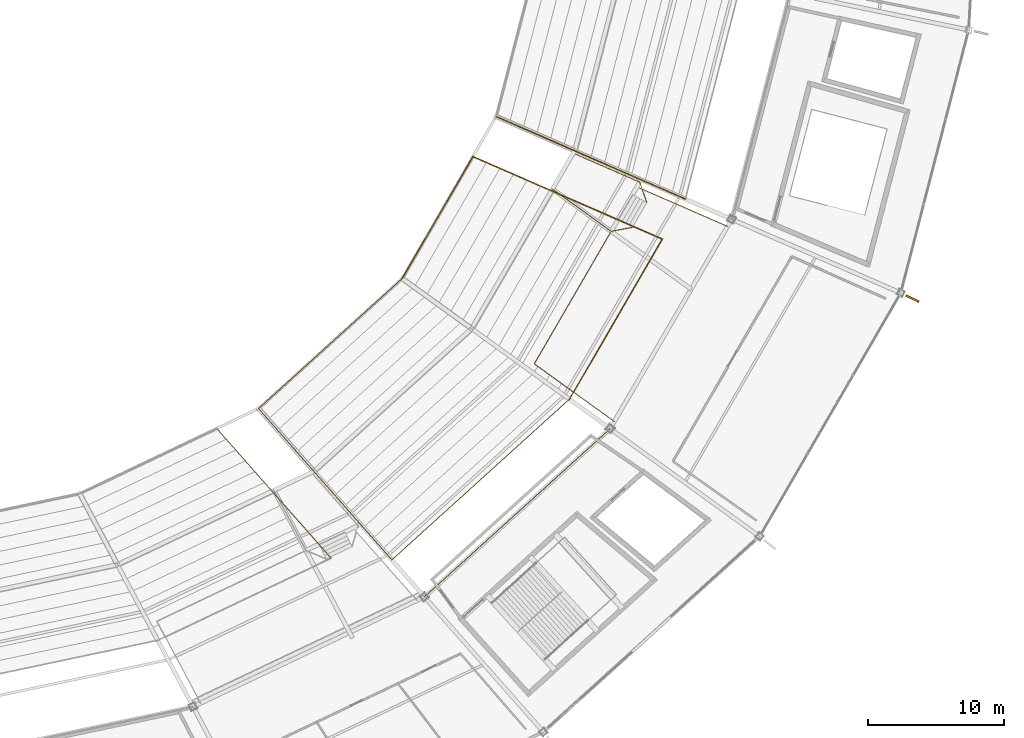
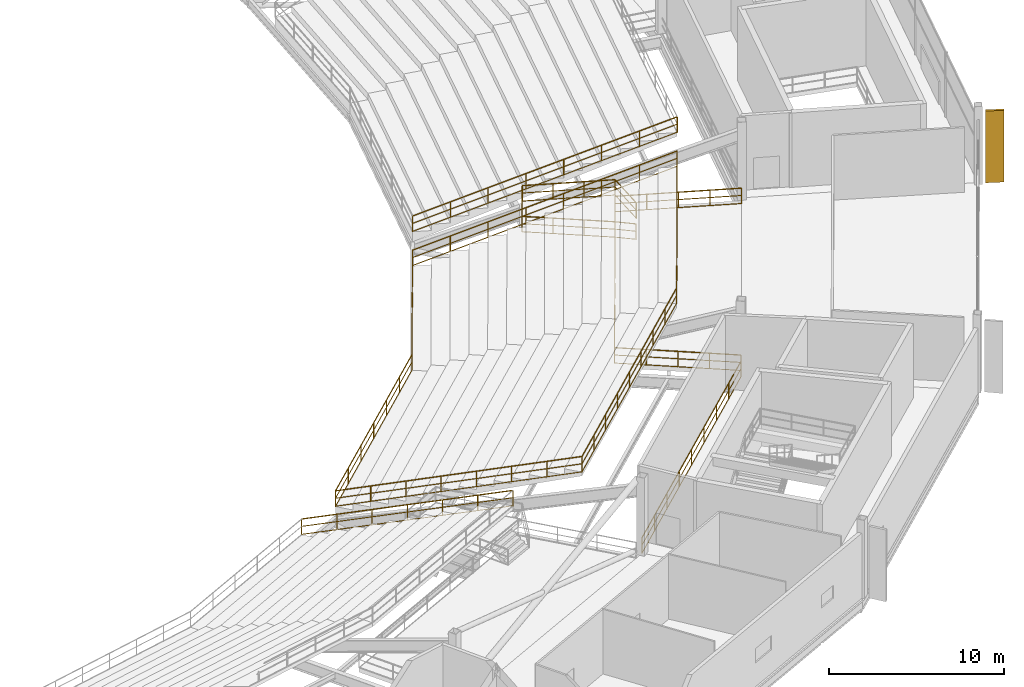
# One storey, part 177 of 186: 11 railings, 1 shading device.
"""IFC4 building model written with IfcOpenShell, lengths in metres."""

from ifc_helpers import new_model, si_unit, direction, frame, origin, origin_2d, place, context, subcontext, project, spatial, rectangle, extrude, material, type_object, element, save


model = new_model("IFC4")

# Units and contexts
model_context = context("Model", 3, precision=1e-05, world=origin(), true_north=direction((0.0, 1.0)))
body_context = subcontext(model_context, "Body", "Model", "MODEL_VIEW")
ifc_project = project(units=[si_unit("LENGTHUNIT", "METRE"), si_unit("AREAUNIT", "SQUARE_METRE"), si_unit("VOLUMEUNIT", "CUBIC_METRE"), si_unit("PLANEANGLEUNIT", "RADIAN"), si_unit("MASSUNIT", "GRAM", prefix="KILO")], contexts=[model_context])

# Site, building, storey
site_placement = place(None, origin())
site = spatial("IfcSite", under=ifc_project, at=site_placement, CompositionType="ELEMENT")
building_placement = place(site_placement, origin())
building = spatial("IfcBuilding", under=site, at=building_placement, Name="Kazemori Nagisa Stadium", CompositionType="ELEMENT")
storey_placement = place(building_placement, frame((0.0, 0.0, 20.39990234375)))
storey = spatial("IfcBuildingStorey", under=building, at=storey_placement, Name="L04", CompositionType="ELEMENT", Elevation=20.39990234375)

# Shading device
ifc_material_1 = material(Name="Aluminium 6063-T5 anodised", Category="aluminium")
shading_device_type = type_object("IfcShadingDeviceType", Name="Fin_FN03", PredefinedType="USERDEFINED", material=ifc_material_1)
shading_device_placement = place(storey_placement, frame((212.745361328125, 62.836181640625, 0.0), z_axis=(0.0, 0.0, 1.0), x_axis=(0.900968867905, -0.433883739113, 0.0)))
element("IfcShadingDevice", 1, at=shading_device_placement, inside=storey, type_object=shading_device_type, Name="Aerodynamic wave shading fin L04-27", ObjectType="FIN", PredefinedType="USERDEFINED", context=body_context, shape_type="SweptSolid", body=[
    extrude(rectangle(XDim=1.050048828125, YDim=0.139892578125, at=origin_2d()), origin(), (0.0, 0.0, 1.0), 5.0),
])

# Railings
ifc_material_2 = material(Name="Laminated safety glass and stainless steel SUS304", Category="steel")
railing_type_1 = type_object("IfcRailingType", Name="Rail_BAL", PredefinedType="BALUSTRADE", material=ifc_material_2)
railing_1_placement = place(storey_placement, frame((176.834228515625, 40.88916015625, 0.0)))
element("IfcRailing", 2, at=railing_1_placement, inside=storey, type_object=railing_type_1, Name="Upper concourse balustrade L04-B25", PredefinedType="BALUSTRADE", context=body_context, shape_type="SweptSolid", body=[
    extrude(rectangle(XDim=0.050048828125, YDim=0.050048828125, at=origin_2d()), frame((0.0, 0.0, 1.09521484375), z_axis=(0.741349142139, 0.671119549298, 0.0), x_axis=(-0.671119549298, 0.741349142139, 0.0)), (0.0, 0.0, 1.0), 18.44189453125),
    extrude(rectangle(XDim=0.03759765625, YDim=0.03759765625, at=origin_2d()), frame((0.0, 0.0, 0.58251953125), z_axis=(0.741349142139, 0.671119549298, 0.0), x_axis=(-0.671119549298, 0.741349142139, 0.0)), (0.0, 0.0, 1.0), 18.44189453125),
    extrude(rectangle(XDim=0.03759765625, YDim=0.03759765625, at=origin_2d()), frame((0.0, 0.0, 0.02490234375), z_axis=(0.741349142139, 0.671119549298, 0.0), x_axis=(-0.671119549298, 0.741349142139, 0.0)), (0.0, 0.0, 1.0), 18.44189453125),
    extrude(rectangle(XDim=0.044921875, YDim=0.044921875, at=origin_2d()), origin(), (0.0, 0.0, 1.0), 1.070068359375),
    extrude(rectangle(XDim=0.044921875, YDim=0.044921875, at=origin_2d()), frame((1.708984375, 1.547119140625, 0.0)), (0.0, 0.0, 1.0), 1.070068359375),
    extrude(rectangle(XDim=0.044921875, YDim=0.044921875, at=origin_2d()), frame((3.41796875, 3.09423828125, 0.0)), (0.0, 0.0, 1.0), 1.070068359375),
    extrude(rectangle(XDim=0.044921875, YDim=0.044921875, at=origin_2d()), frame((5.126953125, 4.641357421875, 0.0)), (0.0, 0.0, 1.0), 1.070068359375),
    extrude(rectangle(XDim=0.044921875, YDim=0.044921875, at=origin_2d()), frame((6.8359375, 6.1884765625, 0.0)), (0.0, 0.0, 1.0), 1.070068359375),
    extrude(rectangle(XDim=0.044921875, YDim=0.044921875, at=origin_2d()), frame((8.544921875, 7.7353515625, 0.0)), (0.0, 0.0, 1.0), 1.070068359375),
    extrude(rectangle(XDim=0.044921875, YDim=0.044921875, at=origin_2d()), frame((10.25390625, 9.282470703125, 0.0)), (0.0, 0.0, 1.0), 1.070068359375),
    extrude(rectangle(XDim=0.044921875, YDim=0.044921875, at=origin_2d()), frame((11.962890625, 10.82958984375, 0.0)), (0.0, 0.0, 1.0), 1.070068359375),
    extrude(rectangle(XDim=0.044921875, YDim=0.044921875, at=origin_2d()), frame((13.671875, 12.376708984375, 0.0)), (0.0, 0.0, 1.0), 1.070068359375),
])
railing_2_placement = place(storey_placement, frame((190.806884765625, 53.784912109375, 0.0)))
element("IfcRailing", 3, at=railing_2_placement, inside=storey, type_object=railing_type_1, Name="Upper vomitory lobby balustrade B26", PredefinedType="BALUSTRADE", context=body_context, shape_type="SweptSolid", body=[
    extrude(rectangle(XDim=0.050048828125, YDim=0.050048828125, at=origin_2d()), frame((0.0, 0.0, 1.09521484375), z_axis=(-0.810790045476, 0.585337084214, 0.0), x_axis=(-0.585337084214, -0.810790045476, 0.0)), (0.0, 0.0, 1.0), 7.2607421875),
    extrude(rectangle(XDim=0.03759765625, YDim=0.03759765625, at=origin_2d()), frame((0.0, 0.0, 0.58251953125), z_axis=(-0.810790045476, 0.585337084214, 0.0), x_axis=(-0.585337084214, -0.810790045476, 0.0)), (0.0, 0.0, 1.0), 7.2607421875),
    extrude(rectangle(XDim=0.03759765625, YDim=0.03759765625, at=origin_2d()), frame((0.0, 0.0, 0.02490234375), z_axis=(-0.810790045476, 0.585337084214, 0.0), x_axis=(-0.585337084214, -0.810790045476, 0.0)), (0.0, 0.0, 1.0), 7.2607421875),
    extrude(rectangle(XDim=0.050048828125, YDim=0.050048828125, at=origin_2d()), frame((-5.886962890625, 4.25, 1.09521484375), z_axis=(0.50160429459, 0.865097180465, 0.0), x_axis=(-0.865097180465, 0.50160429459, 0.0)), (0.0, 0.0, 1.0), 15.05908203125),
    extrude(rectangle(XDim=0.03759765625, YDim=0.03759765625, at=origin_2d()), frame((-5.886962890625, 4.25, 0.58251953125), z_axis=(0.50160429459, 0.865097180465, 0.0), x_axis=(-0.865097180465, 0.50160429459, 0.0)), (0.0, 0.0, 1.0), 15.05908203125),
    extrude(rectangle(XDim=0.03759765625, YDim=0.03759765625, at=origin_2d()), frame((-5.886962890625, 4.25, 0.02490234375), z_axis=(0.50160429459, 0.865097180465, 0.0), x_axis=(-0.865097180465, 0.50160429459, 0.0)), (0.0, 0.0, 1.0), 15.05908203125),
    extrude(rectangle(XDim=0.050048828125, YDim=0.050048828125, at=origin_2d()), frame((1.666748046875, 17.277587890625, 1.09521484375), z_axis=(0.916678937459, -0.399624480756, 0.0), x_axis=(0.399624480756, 0.916678937459, 0.0)), (0.0, 0.0, 1.0), 7.2724609375),
    extrude(rectangle(XDim=0.03759765625, YDim=0.03759765625, at=origin_2d()), frame((1.666748046875, 17.277587890625, 0.58251953125), z_axis=(0.916678937459, -0.399624480756, 0.0), x_axis=(0.399624480756, 0.916678937459, 0.0)), (0.0, 0.0, 1.0), 7.2724609375),
    extrude(rectangle(XDim=0.03759765625, YDim=0.03759765625, at=origin_2d()), frame((1.666748046875, 17.277587890625, 0.02490234375), z_axis=(0.916678937459, -0.399624480756, 0.0), x_axis=(0.399624480756, 0.916678937459, 0.0)), (0.0, 0.0, 1.0), 7.2724609375),
    extrude(rectangle(XDim=0.044921875, YDim=0.044921875, at=origin_2d()), origin(), (0.0, 0.0, 1.0), 1.070068359375),
    extrude(rectangle(XDim=0.044921875, YDim=0.044921875, at=origin_2d()), frame((-1.4716796875, 1.0625, 0.0)), (0.0, 0.0, 1.0), 1.070068359375),
    extrude(rectangle(XDim=0.044921875, YDim=0.044921875, at=origin_2d()), frame((-2.943359375, 2.125, 0.0)), (0.0, 0.0, 1.0), 1.070068359375),
    extrude(rectangle(XDim=0.044921875, YDim=0.044921875, at=origin_2d()), frame((-4.415283203125, 3.1875, 0.0)), (0.0, 0.0, 1.0), 1.070068359375),
    extrude(rectangle(XDim=0.044921875, YDim=0.044921875, at=origin_2d()), frame((-5.886962890625, 4.25, 0.0)), (0.0, 0.0, 1.0), 1.070068359375),
    extrude(rectangle(XDim=0.044921875, YDim=0.044921875, at=origin_2d()), frame((-4.807861328125, 6.111083984375, 0.0)), (0.0, 0.0, 1.0), 1.070068359375),
    extrude(rectangle(XDim=0.044921875, YDim=0.044921875, at=origin_2d()), frame((-3.728759765625, 7.97216796875, 0.0)), (0.0, 0.0, 1.0), 1.070068359375),
    extrude(rectangle(XDim=0.044921875, YDim=0.044921875, at=origin_2d()), frame((-2.649658203125, 9.833251953125, 0.0)), (0.0, 0.0, 1.0), 1.070068359375),
    extrude(rectangle(XDim=0.044921875, YDim=0.044921875, at=origin_2d()), frame((-1.570556640625, 11.6943359375, 0.0)), (0.0, 0.0, 1.0), 1.070068359375),
    extrude(rectangle(XDim=0.044921875, YDim=0.044921875, at=origin_2d()), frame((-0.491455078125, 13.555419921875, 0.0)), (0.0, 0.0, 1.0), 1.070068359375),
    extrude(rectangle(XDim=0.044921875, YDim=0.044921875, at=origin_2d()), frame((0.587646484375, 15.41650390625, 0.0)), (0.0, 0.0, 1.0), 1.070068359375),
    extrude(rectangle(XDim=0.044921875, YDim=0.044921875, at=origin_2d()), frame((1.666748046875, 17.277587890625, 0.0)), (0.0, 0.0, 1.0), 1.070068359375),
    extrude(rectangle(XDim=0.044921875, YDim=0.044921875, at=origin_2d()), frame((3.33349609375, 16.551025390625, 0.0)), (0.0, 0.0, 1.0), 1.070068359375),
    extrude(rectangle(XDim=0.044921875, YDim=0.044921875, at=origin_2d()), frame((5.0, 15.824462890625, 0.0)), (0.0, 0.0, 1.0), 1.070068359375),
    extrude(rectangle(XDim=0.044921875, YDim=0.044921875, at=origin_2d()), frame((6.66650390625, 15.097900390625, 0.0)), (0.0, 0.0, 1.0), 1.070068359375),
    extrude(rectangle(XDim=0.044921875, YDim=0.044921875, at=origin_2d()), frame((8.333251953125, 14.371337890625, 0.0)), (0.0, 0.0, 1.0), 1.070068359375),
])
ifc_material_3 = material(Name="Galvanised powder-coated steel", Category="steel")
railing_type_2 = type_object("IfcRailingType", Name="Rail_GUARD", PredefinedType="GUARDRAIL", material=ifc_material_3)
railing_3_placement = place(storey_placement, frame((192.143798828125, 68.081298828125, 0.0)))
element("IfcRailing", 4, at=railing_3_placement, inside=storey, type_object=railing_type_2, Name="Vomitory upper portal guard VU11", PredefinedType="GUARDRAIL", context=body_context, shape_type="SweptSolid", body=[
    extrude(rectangle(XDim=0.050048828125, YDim=0.050048828125, at=origin_2d()), frame((0.0, 0.0, 1.09521484375), z_axis=(-0.860789853122, -0.162552016093, 0.482304541577), x_axis=(0.185560896973, -0.982632766355, 0.0)), (0.0, 0.0, 1.0), 1.824951171875),
    extrude(rectangle(XDim=0.03759765625, YDim=0.03759765625, at=origin_2d()), frame((0.0, 0.0, 0.58251953125), z_axis=(-0.860789853122, -0.162552016093, 0.482304541577), x_axis=(0.185560896973, -0.982632766355, 0.0)), (0.0, 0.0, 1.0), 1.824951171875),
    extrude(rectangle(XDim=0.03759765625, YDim=0.03759765625, at=origin_2d()), frame((0.0, 0.0, 0.02490234375), z_axis=(-0.860789853122, -0.162552016093, 0.482304541577), x_axis=(0.185560896973, -0.982632766355, 0.0)), (0.0, 0.0, 1.0), 1.824951171875),
    extrude(rectangle(XDim=0.050048828125, YDim=0.050048828125, at=origin_2d()), frame((-1.57080078125, -0.296630859375, 1.97509765625), z_axis=(-0.8107892387, 0.585338201733, 0.0), x_axis=(-0.585338201733, -0.8107892387, 0.0)), (0.0, 0.0, 1.0), 5.32470703125),
    extrude(rectangle(XDim=0.03759765625, YDim=0.03759765625, at=origin_2d()), frame((-1.57080078125, -0.296630859375, 1.462646484375), z_axis=(-0.8107892387, 0.585338201733, 0.0), x_axis=(-0.585338201733, -0.8107892387, 0.0)), (0.0, 0.0, 1.0), 5.32470703125),
    extrude(rectangle(XDim=0.03759765625, YDim=0.03759765625, at=origin_2d()), frame((-1.57080078125, -0.296630859375, 0.9052734375), z_axis=(-0.8107892387, 0.585338201733, 0.0), x_axis=(-0.585338201733, -0.8107892387, 0.0)), (0.0, 0.0, 1.0), 5.32470703125),
    extrude(rectangle(XDim=0.050048828125, YDim=0.050048828125, at=origin_2d()), frame((-5.887939453125, 2.820068359375, 1.97509765625), z_axis=(0.50159469088, 0.865102748858, 0.0), x_axis=(-0.865102748858, 0.50159469088, 0.0)), (0.0, 0.0, 1.0), 3.0498046875),
    extrude(rectangle(XDim=0.03759765625, YDim=0.03759765625, at=origin_2d()), frame((-5.887939453125, 2.820068359375, 1.462646484375), z_axis=(0.50159469088, 0.865102748858, 0.0), x_axis=(-0.865102748858, 0.50159469088, 0.0)), (0.0, 0.0, 1.0), 3.0498046875),
    extrude(rectangle(XDim=0.03759765625, YDim=0.03759765625, at=origin_2d()), frame((-5.887939453125, 2.820068359375, 0.9052734375), z_axis=(0.50159469088, 0.865102748858, 0.0), x_axis=(-0.865102748858, 0.50159469088, 0.0)), (0.0, 0.0, 1.0), 3.0498046875),
    extrude(rectangle(XDim=0.050048828125, YDim=0.050048828125, at=origin_2d()), frame((-4.358154296875, 5.45849609375, 1.97509765625), z_axis=(0.916686075072, -0.399608107736, 0.0), x_axis=(0.399608107736, 0.916686075072, 0.0)), (0.0, 0.0, 1.0), 5.3330078125),
    extrude(rectangle(XDim=0.03759765625, YDim=0.03759765625, at=origin_2d()), frame((-4.358154296875, 5.45849609375, 1.462646484375), z_axis=(0.916686075072, -0.399608107736, 0.0), x_axis=(0.399608107736, 0.916686075072, 0.0)), (0.0, 0.0, 1.0), 5.3330078125),
    extrude(rectangle(XDim=0.03759765625, YDim=0.03759765625, at=origin_2d()), frame((-4.358154296875, 5.45849609375, 0.9052734375), z_axis=(0.916686075072, -0.399608107736, 0.0), x_axis=(0.399608107736, 0.916686075072, 0.0)), (0.0, 0.0, 1.0), 5.3330078125),
    extrude(rectangle(XDim=0.050048828125, YDim=0.050048828125, at=origin_2d()), frame((0.530517578125, 3.327392578125, 1.97509765625), z_axis=(0.286432618581, -0.827858497796, -0.482293129372), x_axis=(0.945033271726, 0.326974181443, 0.0)), (0.0, 0.0, 1.0), 1.824951171875),
    extrude(rectangle(XDim=0.03759765625, YDim=0.03759765625, at=origin_2d()), frame((0.530517578125, 3.327392578125, 1.462646484375), z_axis=(0.286432618581, -0.827858497796, -0.482293129372), x_axis=(0.945033271726, 0.326974181443, 0.0)), (0.0, 0.0, 1.0), 1.824951171875),
    extrude(rectangle(XDim=0.03759765625, YDim=0.03759765625, at=origin_2d()), frame((0.530517578125, 3.327392578125, 0.9052734375), z_axis=(0.286432618581, -0.827858497796, -0.482293129372), x_axis=(0.945033271726, 0.326974181443, 0.0)), (0.0, 0.0, 1.0), 1.824951171875),
    extrude(rectangle(XDim=0.044921875, YDim=0.044921875, at=origin_2d()), origin(), (0.0, 0.0, 1.0), 1.070068359375),
    extrude(rectangle(XDim=0.044921875, YDim=0.044921875, at=origin_2d()), frame((-1.57080078125, -0.296630859375, 0.880126953125)), (0.0, 0.0, 1.0), 1.070068359375),
    extrude(rectangle(XDim=0.044921875, YDim=0.044921875, at=origin_2d()), frame((-3.009765625, 0.7421875, 0.880126953125)), (0.0, 0.0, 1.0), 1.070068359375),
    extrude(rectangle(XDim=0.044921875, YDim=0.044921875, at=origin_2d()), frame((-4.448974609375, 1.78125, 0.880126953125)), (0.0, 0.0, 1.0), 1.070068359375),
    extrude(rectangle(XDim=0.044921875, YDim=0.044921875, at=origin_2d()), frame((-5.887939453125, 2.820068359375, 0.880126953125)), (0.0, 0.0, 1.0), 1.070068359375),
    extrude(rectangle(XDim=0.044921875, YDim=0.044921875, at=origin_2d()), frame((-5.123046875, 4.13916015625, 0.880126953125)), (0.0, 0.0, 1.0), 1.070068359375),
    extrude(rectangle(XDim=0.044921875, YDim=0.044921875, at=origin_2d()), frame((-4.358154296875, 5.45849609375, 0.880126953125)), (0.0, 0.0, 1.0), 1.070068359375),
    extrude(rectangle(XDim=0.044921875, YDim=0.044921875, at=origin_2d()), frame((-2.728515625, 4.748046875, 0.880126953125)), (0.0, 0.0, 1.0), 1.070068359375),
    extrude(rectangle(XDim=0.044921875, YDim=0.044921875, at=origin_2d()), frame((-1.09912109375, 4.037841796875, 0.880126953125)), (0.0, 0.0, 1.0), 1.070068359375),
    extrude(rectangle(XDim=0.044921875, YDim=0.044921875, at=origin_2d()), frame((0.530517578125, 3.327392578125, 0.880126953125)), (0.0, 0.0, 1.0), 1.070068359375),
    extrude(rectangle(XDim=0.044921875, YDim=0.044921875, at=origin_2d()), frame((1.05322265625, 1.816650390625, 0.0)), (0.0, 0.0, 1.0), 1.070068359375),
])
railing_4_placement = place(storey_placement, frame((161.556640625, 53.28662109375, -0.8798828125)))
element("IfcRailing", 5, at=railing_4_placement, inside=storey, type_object=railing_type_2, Name="Upper tier radial step guard B24R", PredefinedType="GUARDRAIL", context=body_context, shape_type="SweptSolid", body=[
    extrude(rectangle(XDim=0.050048828125, YDim=0.050048828125, at=origin_2d()), frame((0.0, 0.0, 1.09521484375), z_axis=(0.617861589758, -0.701358337487, 0.355448362408), x_axis=(0.750359900972, 0.661029514479, 0.0)), (0.0, 0.0, 1.0), 13.616943359375),
    extrude(rectangle(XDim=0.03759765625, YDim=0.03759765625, at=origin_2d()), frame((0.0, 0.0, 0.58251953125), z_axis=(0.617861589758, -0.701358337487, 0.355448362408), x_axis=(0.750359900972, 0.661029514479, 0.0)), (0.0, 0.0, 1.0), 13.616943359375),
    extrude(rectangle(XDim=0.03759765625, YDim=0.03759765625, at=origin_2d()), frame((0.0, 0.0, 0.02490234375), z_axis=(0.617861589758, -0.701358337487, 0.355448362408), x_axis=(0.750359900972, 0.661029514479, 0.0)), (0.0, 0.0, 1.0), 13.616943359375),
    extrude(rectangle(XDim=0.044921875, YDim=0.044921875, at=origin_2d()), origin(), (0.0, 0.0, 1.0), 1.070068359375),
    extrude(rectangle(XDim=0.044921875, YDim=0.044921875, at=origin_2d()), frame((1.40234375, -1.591796875, 0.806640625)), (0.0, 0.0, 1.0), 1.070068359375),
    extrude(rectangle(XDim=0.044921875, YDim=0.044921875, at=origin_2d()), frame((2.804443359375, -3.183349609375, 1.61328125)), (0.0, 0.0, 1.0), 1.070068359375),
    extrude(rectangle(XDim=0.044921875, YDim=0.044921875, at=origin_2d()), frame((4.20654296875, -4.775146484375, 2.419921875)), (0.0, 0.0, 1.0), 1.070068359375),
    extrude(rectangle(XDim=0.044921875, YDim=0.044921875, at=origin_2d()), frame((5.60888671875, -6.366943359375, 3.226806640625)), (0.0, 0.0, 1.0), 1.070068359375),
    extrude(rectangle(XDim=0.044921875, YDim=0.044921875, at=origin_2d()), frame((7.01123046875, -7.95849609375, 4.033447265625)), (0.0, 0.0, 1.0), 1.070068359375),
    extrude(rectangle(XDim=0.044921875, YDim=0.044921875, at=origin_2d()), frame((8.413330078125, -9.55029296875, 4.840087890625)), (0.0, 0.0, 1.0), 1.070068359375),
])
railing_5_placement = place(storey_placement, frame((164.627685546875, 54.745849609375, -0.8798828125)))
element("IfcRailing", 6, at=railing_5_placement, inside=storey, type_object=railing_type_2, Name="Upper tier front crowd barrier B25", PredefinedType="GUARDRAIL", context=body_context, shape_type="SweptSolid", body=[
    extrude(rectangle(XDim=0.050048828125, YDim=0.050048828125, at=origin_2d()), frame((0.0, 0.0, 1.09521484375), z_axis=(0.7413568829, 0.671110998402, 0.0), x_axis=(-0.671110998402, 0.7413568829, 0.0)), (0.0, 0.0, 1.0), 14.260009765625),
    extrude(rectangle(XDim=0.03759765625, YDim=0.03759765625, at=origin_2d()), frame((0.0, 0.0, 0.58251953125), z_axis=(0.7413568829, 0.671110998402, 0.0), x_axis=(-0.671110998402, 0.7413568829, 0.0)), (0.0, 0.0, 1.0), 14.260009765625),
    extrude(rectangle(XDim=0.03759765625, YDim=0.03759765625, at=origin_2d()), frame((0.0, 0.0, 0.02490234375), z_axis=(0.7413568829, 0.671110998402, 0.0), x_axis=(-0.671110998402, 0.7413568829, 0.0)), (0.0, 0.0, 1.0), 14.260009765625),
    extrude(rectangle(XDim=0.044921875, YDim=0.044921875, at=origin_2d()), origin(), (0.0, 0.0, 1.0), 1.070068359375),
    extrude(rectangle(XDim=0.044921875, YDim=0.044921875, at=origin_2d()), frame((1.761962890625, 1.594970703125, 0.0)), (0.0, 0.0, 1.0), 1.070068359375),
    extrude(rectangle(XDim=0.044921875, YDim=0.044921875, at=origin_2d()), frame((3.52392578125, 3.18994140625, 0.0)), (0.0, 0.0, 1.0), 1.070068359375),
    extrude(rectangle(XDim=0.044921875, YDim=0.044921875, at=origin_2d()), frame((5.285888671875, 4.78515625, 0.0)), (0.0, 0.0, 1.0), 1.070068359375),
    extrude(rectangle(XDim=0.044921875, YDim=0.044921875, at=origin_2d()), frame((7.0478515625, 6.380126953125, 0.0)), (0.0, 0.0, 1.0), 1.070068359375),
    extrude(rectangle(XDim=0.044921875, YDim=0.044921875, at=origin_2d()), frame((8.809814453125, 7.97509765625, 0.0)), (0.0, 0.0, 1.0), 1.070068359375),
    extrude(rectangle(XDim=0.044921875, YDim=0.044921875, at=origin_2d()), frame((10.57177734375, 9.570068359375, 0.0)), (0.0, 0.0, 1.0), 1.070068359375),
])
railing_6_placement = place(storey_placement, frame((174.443115234375, 43.603759765625, 4.840087890625)))
element("IfcRailing", 7, at=railing_6_placement, inside=storey, type_object=railing_type_2, Name="Upper tier rear guard B25", PredefinedType="GUARDRAIL", context=body_context, shape_type="SweptSolid", body=[
    extrude(rectangle(XDim=0.050048828125, YDim=0.050048828125, at=origin_2d()), frame((0.0, 0.0, 1.09521484375), z_axis=(0.741353922784, 0.671114268342, 0.0), x_axis=(-0.671114268342, 0.741353922784, 0.0)), (0.0, 0.0, 1.0), 17.622314453125),
    extrude(rectangle(XDim=0.03759765625, YDim=0.03759765625, at=origin_2d()), frame((0.0, 0.0, 0.58251953125), z_axis=(0.741353922784, 0.671114268342, 0.0), x_axis=(-0.671114268342, 0.741353922784, 0.0)), (0.0, 0.0, 1.0), 17.622314453125),
    extrude(rectangle(XDim=0.03759765625, YDim=0.03759765625, at=origin_2d()), frame((0.0, 0.0, 0.02490234375), z_axis=(0.741353922784, 0.671114268342, 0.0), x_axis=(-0.671114268342, 0.741353922784, 0.0)), (0.0, 0.0, 1.0), 17.622314453125),
    extrude(rectangle(XDim=0.044921875, YDim=0.044921875, at=origin_2d()), origin(), (0.0, 0.0, 1.0), 1.070068359375),
    extrude(rectangle(XDim=0.044921875, YDim=0.044921875, at=origin_2d()), frame((1.633056640625, 1.478271484375, 0.0)), (0.0, 0.0, 1.0), 1.070068359375),
    extrude(rectangle(XDim=0.044921875, YDim=0.044921875, at=origin_2d()), frame((3.26611328125, 2.95654296875, 0.0)), (0.0, 0.0, 1.0), 1.070068359375),
    extrude(rectangle(XDim=0.044921875, YDim=0.044921875, at=origin_2d()), frame((4.899169921875, 4.43505859375, 0.0)), (0.0, 0.0, 1.0), 1.070068359375),
    extrude(rectangle(XDim=0.044921875, YDim=0.044921875, at=origin_2d()), frame((6.5322265625, 5.913330078125, 0.0)), (0.0, 0.0, 1.0), 1.070068359375),
    extrude(rectangle(XDim=0.044921875, YDim=0.044921875, at=origin_2d()), frame((8.165283203125, 7.3916015625, 0.0)), (0.0, 0.0, 1.0), 1.070068359375),
    extrude(rectangle(XDim=0.044921875, YDim=0.044921875, at=origin_2d()), frame((9.79833984375, 8.8701171875, 0.0)), (0.0, 0.0, 1.0), 1.070068359375),
    extrude(rectangle(XDim=0.044921875, YDim=0.044921875, at=origin_2d()), frame((11.431396484375, 10.348388671875, 0.0)), (0.0, 0.0, 1.0), 1.070068359375),
    extrude(rectangle(XDim=0.044921875, YDim=0.044921875, at=origin_2d()), frame((13.064453125, 11.82666015625, 0.0)), (0.0, 0.0, 1.0), 1.070068359375),
])
railing_7_placement = place(storey_placement, frame((164.627685546875, 54.745849609375, -0.8798828125)))
element("IfcRailing", 8, at=railing_7_placement, inside=storey, type_object=railing_type_2, Name="Upper tier radial step guard B25L", PredefinedType="GUARDRAIL", context=body_context, shape_type="SweptSolid", body=[
    extrude(rectangle(XDim=0.050048828125, YDim=0.050048828125, at=origin_2d()), frame((0.0, 0.0, 1.09521484375), z_axis=(0.616838618825, -0.700210946322, 0.359464530903), x_axis=(0.75036637335, 0.661022167364, 0.0)), (0.0, 0.0, 1.0), 15.91259765625),
    extrude(rectangle(XDim=0.03759765625, YDim=0.03759765625, at=origin_2d()), frame((0.0, 0.0, 0.58251953125), z_axis=(0.616838618825, -0.700210946322, 0.359464530903), x_axis=(0.75036637335, 0.661022167364, 0.0)), (0.0, 0.0, 1.0), 15.91259765625),
    extrude(rectangle(XDim=0.03759765625, YDim=0.03759765625, at=origin_2d()), frame((0.0, 0.0, 0.02490234375), z_axis=(0.616838618825, -0.700210946322, 0.359464530903), x_axis=(0.75036637335, 0.661022167364, 0.0)), (0.0, 0.0, 1.0), 15.91259765625),
    extrude(rectangle(XDim=0.044921875, YDim=0.044921875, at=origin_2d()), origin(), (0.0, 0.0, 1.0), 1.070068359375),
    extrude(rectangle(XDim=0.044921875, YDim=0.044921875, at=origin_2d()), frame((1.402099609375, -1.591796875, 0.817138671875)), (0.0, 0.0, 1.0), 1.070068359375),
    extrude(rectangle(XDim=0.044921875, YDim=0.044921875, at=origin_2d()), frame((2.804443359375, -3.183349609375, 1.63427734375)), (0.0, 0.0, 1.0), 1.070068359375),
    extrude(rectangle(XDim=0.044921875, YDim=0.044921875, at=origin_2d()), frame((4.20654296875, -4.775146484375, 2.451416015625)), (0.0, 0.0, 1.0), 1.070068359375),
    extrude(rectangle(XDim=0.044921875, YDim=0.044921875, at=origin_2d()), frame((5.60888671875, -6.366943359375, 3.2685546875)), (0.0, 0.0, 1.0), 1.070068359375),
    extrude(rectangle(XDim=0.044921875, YDim=0.044921875, at=origin_2d()), frame((7.010986328125, -7.958740234375, 4.085693359375)), (0.0, 0.0, 1.0), 1.070068359375),
    extrude(rectangle(XDim=0.044921875, YDim=0.044921875, at=origin_2d()), frame((8.413330078125, -9.55029296875, 4.90283203125)), (0.0, 0.0, 1.0), 1.070068359375),
    extrude(rectangle(XDim=0.044921875, YDim=0.044921875, at=origin_2d()), frame((9.8154296875, -11.14208984375, 5.719970703125)), (0.0, 0.0, 1.0), 1.070068359375),
])
railing_8_placement = place(storey_placement, frame((175.199462890625, 64.31591796875, -0.8798828125)))
element("IfcRailing", 9, at=railing_8_placement, inside=storey, type_object=railing_type_2, Name="Upper tier front crowd barrier B26", PredefinedType="GUARDRAIL", context=body_context, shape_type="SweptSolid", body=[
    extrude(rectangle(XDim=0.050048828125, YDim=0.050048828125, at=origin_2d()), frame((0.0, 0.0, 1.09521484375), z_axis=(0.501608550504, 0.865094712769, 0.0), x_axis=(-0.865094712769, 0.501608550504, 0.0)), (0.0, 0.0, 1.0), 10.373779296875),
    extrude(rectangle(XDim=0.03759765625, YDim=0.03759765625, at=origin_2d()), frame((0.0, 0.0, 0.58251953125), z_axis=(0.501608550504, 0.865094712769, 0.0), x_axis=(-0.865094712769, 0.501608550504, 0.0)), (0.0, 0.0, 1.0), 10.373779296875),
    extrude(rectangle(XDim=0.03759765625, YDim=0.03759765625, at=origin_2d()), frame((0.0, 0.0, 0.02490234375), z_axis=(0.501608550504, 0.865094712769, 0.0), x_axis=(-0.865094712769, 0.501608550504, 0.0)), (0.0, 0.0, 1.0), 10.373779296875),
    extrude(rectangle(XDim=0.044921875, YDim=0.044921875, at=origin_2d()), origin(), (0.0, 0.0, 1.0), 1.070068359375),
    extrude(rectangle(XDim=0.044921875, YDim=0.044921875, at=origin_2d()), frame((1.040771484375, 1.794921875, 0.0)), (0.0, 0.0, 1.0), 1.070068359375),
    extrude(rectangle(XDim=0.044921875, YDim=0.044921875, at=origin_2d()), frame((2.08154296875, 3.58984375, 0.0)), (0.0, 0.0, 1.0), 1.070068359375),
    extrude(rectangle(XDim=0.044921875, YDim=0.044921875, at=origin_2d()), frame((3.1220703125, 5.384521484375, 0.0)), (0.0, 0.0, 1.0), 1.070068359375),
    extrude(rectangle(XDim=0.044921875, YDim=0.044921875, at=origin_2d()), frame((4.162841796875, 7.179443359375, 0.0)), (0.0, 0.0, 1.0), 1.070068359375),
    extrude(rectangle(XDim=0.044921875, YDim=0.044921875, at=origin_2d()), frame((5.20361328125, 8.974365234375, 0.0)), (0.0, 0.0, 1.0), 1.070068359375),
])
railing_9_placement = place(storey_placement, frame((187.507568359375, 55.430419921875, 4.840087890625)))
element("IfcRailing", 10, at=railing_9_placement, inside=storey, type_object=railing_type_2, Name="Upper tier rear guard B26", PredefinedType="GUARDRAIL", context=body_context, shape_type="SweptSolid", body=[
    extrude(rectangle(XDim=0.050048828125, YDim=0.050048828125, at=origin_2d()), frame((0.0, 0.0, 1.09521484375), z_axis=(0.501599258537, 0.865100100471, 0.0), x_axis=(-0.865100100471, 0.501599258537, 0.0)), (0.0, 0.0, 1.0), 13.62158203125),
    extrude(rectangle(XDim=0.03759765625, YDim=0.03759765625, at=origin_2d()), frame((0.0, 0.0, 0.58251953125), z_axis=(0.501599258537, 0.865100100471, 0.0), x_axis=(-0.865100100471, 0.501599258537, 0.0)), (0.0, 0.0, 1.0), 13.62158203125),
    extrude(rectangle(XDim=0.03759765625, YDim=0.03759765625, at=origin_2d()), frame((0.0, 0.0, 0.02490234375), z_axis=(0.501599258537, 0.865100100471, 0.0), x_axis=(-0.865100100471, 0.501599258537, 0.0)), (0.0, 0.0, 1.0), 13.62158203125),
    extrude(rectangle(XDim=0.044921875, YDim=0.044921875, at=origin_2d()), origin(), (0.0, 0.0, 1.0), 1.070068359375),
    extrude(rectangle(XDim=0.044921875, YDim=0.044921875, at=origin_2d()), frame((1.138671875, 1.9638671875, 0.0)), (0.0, 0.0, 1.0), 1.070068359375),
    extrude(rectangle(XDim=0.044921875, YDim=0.044921875, at=origin_2d()), frame((2.277587890625, 3.927978515625, 0.0)), (0.0, 0.0, 1.0), 1.070068359375),
    extrude(rectangle(XDim=0.044921875, YDim=0.044921875, at=origin_2d()), frame((3.416259765625, 5.89208984375, 0.0)), (0.0, 0.0, 1.0), 1.070068359375),
    extrude(rectangle(XDim=0.044921875, YDim=0.044921875, at=origin_2d()), frame((4.554931640625, 7.85595703125, 0.0)), (0.0, 0.0, 1.0), 1.070068359375),
    extrude(rectangle(XDim=0.044921875, YDim=0.044921875, at=origin_2d()), frame((5.69384765625, 9.81982421875, 0.0)), (0.0, 0.0, 1.0), 1.070068359375),
    extrude(rectangle(XDim=0.044921875, YDim=0.044921875, at=origin_2d()), frame((6.83251953125, 11.783935546875, 0.0)), (0.0, 0.0, 1.0), 1.070068359375),
])
railing_10_placement = place(storey_placement, frame((180.403076171875, 73.290283203125, -0.8798828125)))
element("IfcRailing", 11, at=railing_10_placement, inside=storey, type_object=railing_type_2, Name="Upper tier radial step guard B26R", PredefinedType="GUARDRAIL", context=body_context, shape_type="SweptSolid", body=[
    extrude(rectangle(XDim=0.050048828125, YDim=0.050048828125, at=origin_2d()), frame((0.0, 0.0, 1.09521484375), z_axis=(0.857966497383, -0.374035879556, 0.352123061121), x_axis=(0.399630745637, 0.91667620627, 0.0)), (0.0, 0.0, 1.0), 16.244140625),
    extrude(rectangle(XDim=0.03759765625, YDim=0.03759765625, at=origin_2d()), frame((0.0, 0.0, 0.58251953125), z_axis=(0.857966497383, -0.374035879556, 0.352123061121), x_axis=(0.399630745637, 0.91667620627, 0.0)), (0.0, 0.0, 1.0), 16.244140625),
    extrude(rectangle(XDim=0.03759765625, YDim=0.03759765625, at=origin_2d()), frame((0.0, 0.0, 0.02490234375), z_axis=(0.857966497383, -0.374035879556, 0.352123061121), x_axis=(0.399630745637, 0.91667620627, 0.0)), (0.0, 0.0, 1.0), 16.244140625),
    extrude(rectangle(XDim=0.044921875, YDim=0.044921875, at=origin_2d()), origin(), (0.0, 0.0, 1.0), 1.070068359375),
    extrude(rectangle(XDim=0.044921875, YDim=0.044921875, at=origin_2d()), frame((1.990966796875, -0.867919921875, 0.817138671875)), (0.0, 0.0, 1.0), 1.070068359375),
    extrude(rectangle(XDim=0.044921875, YDim=0.044921875, at=origin_2d()), frame((3.98193359375, -1.736083984375, 1.63427734375)), (0.0, 0.0, 1.0), 1.070068359375),
    extrude(rectangle(XDim=0.044921875, YDim=0.044921875, at=origin_2d()), frame((5.972900390625, -2.60400390625, 2.451416015625)), (0.0, 0.0, 1.0), 1.070068359375),
    extrude(rectangle(XDim=0.044921875, YDim=0.044921875, at=origin_2d()), frame((7.964111328125, -3.471923828125, 3.2685546875)), (0.0, 0.0, 1.0), 1.070068359375),
    extrude(rectangle(XDim=0.044921875, YDim=0.044921875, at=origin_2d()), frame((9.955078125, -4.33984375, 4.085693359375)), (0.0, 0.0, 1.0), 1.070068359375),
    extrude(rectangle(XDim=0.044921875, YDim=0.044921875, at=origin_2d()), frame((11.946044921875, -5.2080078125, 4.90283203125)), (0.0, 0.0, 1.0), 1.070068359375),
    extrude(rectangle(XDim=0.044921875, YDim=0.044921875, at=origin_2d()), frame((13.93701171875, -6.075927734375, 5.719970703125)), (0.0, 0.0, 1.0), 1.070068359375),
])
railing_11_placement = place(storey_placement, frame((182.1083984375, 76.2314453125, -0.8798828125)))
element("IfcRailing", 12, at=railing_11_placement, inside=storey, type_object=railing_type_2, Name="Upper tier radial step guard B27L", PredefinedType="GUARDRAIL", context=body_context, shape_type="SweptSolid", body=[
    extrude(rectangle(XDim=0.050048828125, YDim=0.050048828125, at=origin_2d()), frame((0.0, 0.0, 1.09521484375), z_axis=(0.857970463458, -0.374031056529, 0.35211852065), x_axis=(0.399624863225, 0.916678770722, 0.0)), (0.0, 0.0, 1.0), 16.244384765625),
    extrude(rectangle(XDim=0.03759765625, YDim=0.03759765625, at=origin_2d()), frame((0.0, 0.0, 0.58251953125), z_axis=(0.857970463458, -0.374031056529, 0.35211852065), x_axis=(0.399624863225, 0.916678770722, 0.0)), (0.0, 0.0, 1.0), 16.244384765625),
    extrude(rectangle(XDim=0.03759765625, YDim=0.03759765625, at=origin_2d()), frame((0.0, 0.0, 0.02490234375), z_axis=(0.857970463458, -0.374031056529, 0.35211852065), x_axis=(0.399624863225, 0.916678770722, 0.0)), (0.0, 0.0, 1.0), 16.244384765625),
    extrude(rectangle(XDim=0.044921875, YDim=0.044921875, at=origin_2d()), origin(), (0.0, 0.0, 1.0), 1.070068359375),
    extrude(rectangle(XDim=0.044921875, YDim=0.044921875, at=origin_2d()), frame((1.990966796875, -0.867919921875, 0.817138671875)), (0.0, 0.0, 1.0), 1.070068359375),
    extrude(rectangle(XDim=0.044921875, YDim=0.044921875, at=origin_2d()), frame((3.982177734375, -1.736083984375, 1.63427734375)), (0.0, 0.0, 1.0), 1.070068359375),
    extrude(rectangle(XDim=0.044921875, YDim=0.044921875, at=origin_2d()), frame((5.97314453125, -2.60400390625, 2.451416015625)), (0.0, 0.0, 1.0), 1.070068359375),
    extrude(rectangle(XDim=0.044921875, YDim=0.044921875, at=origin_2d()), frame((7.964111328125, -3.471923828125, 3.2685546875)), (0.0, 0.0, 1.0), 1.070068359375),
    extrude(rectangle(XDim=0.044921875, YDim=0.044921875, at=origin_2d()), frame((9.955078125, -4.33984375, 4.085693359375)), (0.0, 0.0, 1.0), 1.070068359375),
    extrude(rectangle(XDim=0.044921875, YDim=0.044921875, at=origin_2d()), frame((11.9462890625, -5.2080078125, 4.90283203125)), (0.0, 0.0, 1.0), 1.070068359375),
    extrude(rectangle(XDim=0.044921875, YDim=0.044921875, at=origin_2d()), frame((13.937255859375, -6.075927734375, 5.719970703125)), (0.0, 0.0, 1.0), 1.070068359375),
])

save(model, "model.ifc")
